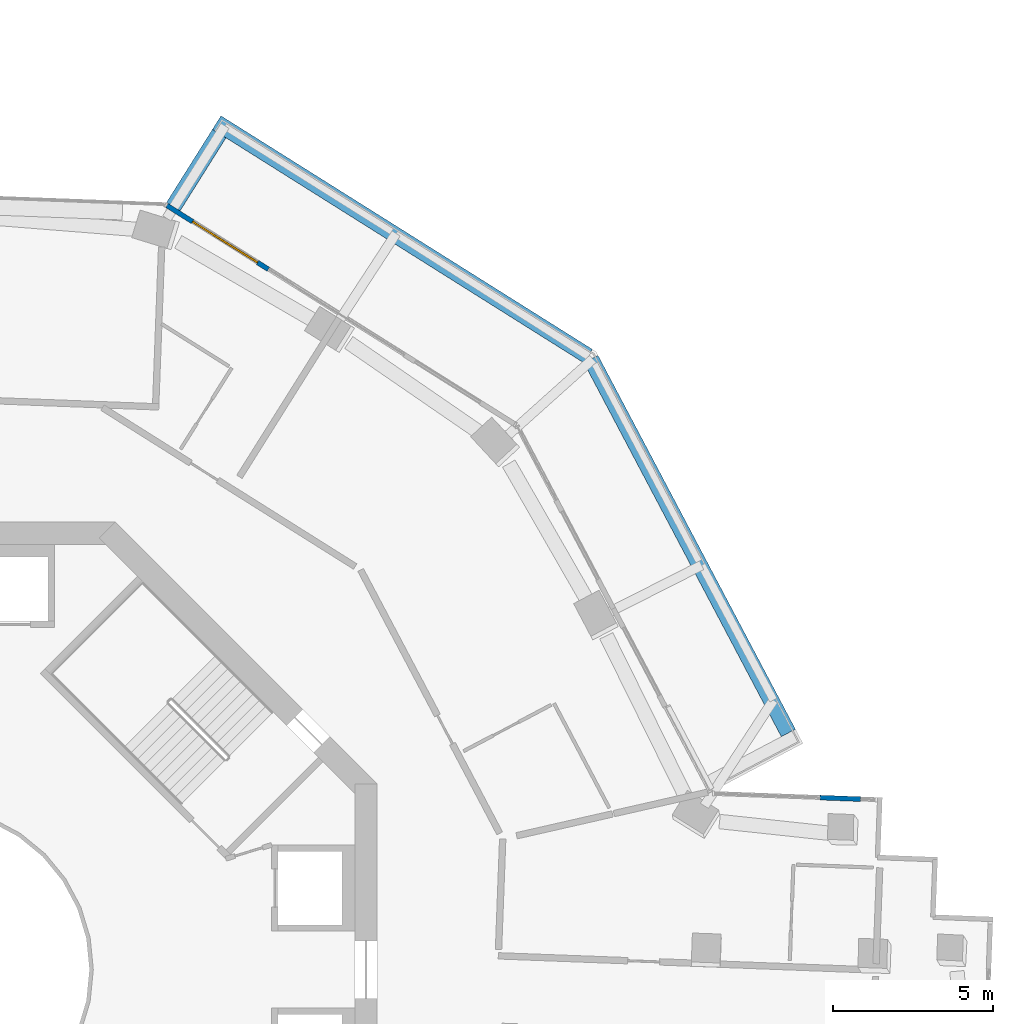
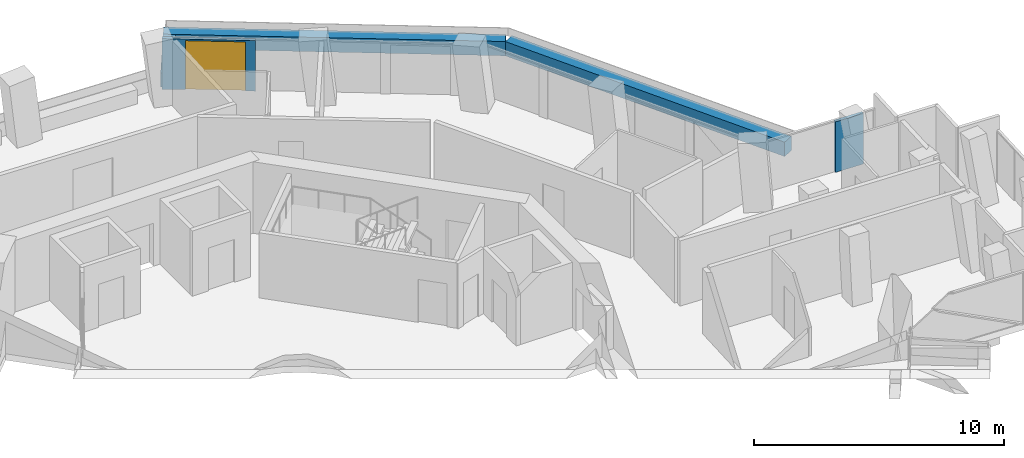
# One storey, part 20 of 23: 5 walls, 1 door, 1 opening.
"""IFC4 building model written with IfcOpenShell, lengths in metres."""

from ifc_helpers import new_model, si_unit, direction, frame, frame_2d, origin, place, context, subcontext, project, spatial, rectangle, extrude, material, layer, layer_set, type_object, element, fill, save


model = new_model("IFC4")

# Units and contexts
model_context = context("Model", 3, precision=1e-05, world=origin(), true_north=direction((0.0, 1.0)))
body_context = subcontext(model_context, "Body", "Model", "MODEL_VIEW")
ifc_project = project(units=[si_unit("LENGTHUNIT", "METRE"), si_unit("AREAUNIT", "SQUARE_METRE"), si_unit("VOLUMEUNIT", "CUBIC_METRE"), si_unit("PLANEANGLEUNIT", "RADIAN"), si_unit("MASSUNIT", "GRAM", prefix="KILO")], contexts=[model_context])

# Site, building, storey
site_placement = place(None, origin())
site = spatial("IfcSite", under=ifc_project, at=site_placement, CompositionType="ELEMENT")
building_placement = place(site_placement, origin())
building = spatial("IfcBuilding", under=site, at=building_placement, Name="Verdalira Terraces Hotel", CompositionType="ELEMENT")
storey_placement = place(building_placement, frame((0.0, 0.0, 147.0)))
storey = spatial("IfcBuildingStorey", under=building, at=storey_placement, Name="L35", CompositionType="ELEMENT", Elevation=147.0)

# Walls
ifc_material_1 = material(Name="Concrete C40", Category="concrete")
ifc_layer_1 = layer(ifc_material_1, 0.5)
ifc_layer_set_1 = layer_set([ifc_layer_1], Name="Balcony planter trough with tree")
wall_type_1 = type_object("IfcWallType", Name="Balcony planter trough with tree", PredefinedType="SOLIDWALL", material=ifc_layer_set_1)
wall_1_placement = place(storey_placement, frame((26.861084, 7.400879, 0.0), z_axis=(0.0, 0.0, 1.0), x_axis=(-0.466998474, 0.884258121, 0.0)))
element("IfcWall", 1, at=wall_1_placement, inside=storey, type_object=wall_type_1, Name="Balcony planter", PredefinedType="SOLIDWALL", context=body_context, shape_type="SweptSolid", body=[
    extrude(rectangle(XDim=13.223389, YDim=0.5, at=frame_2d((6.611816, 0.0))), origin(), (0.0, 0.0, 1.0), 0.699951),
])
wall_2_placement = place(storey_placement, frame((20.597656, 19.188721, 0.0), z_axis=(0.0, 0.0, 1.0), x_axis=(-0.846566005, 0.532283757, 0.0)))
element("IfcWall", 2, at=wall_2_placement, inside=storey, type_object=wall_type_1, Name="Balcony planter", PredefinedType="SOLIDWALL", context=body_context, shape_type="SweptSolid", body=[
    extrude(rectangle(XDim=13.723389, YDim=0.5, at=frame_2d((6.861816, 0.0))), origin(), (0.0, 0.0, 1.0), 0.699951),
])
wall_3_placement = place(storey_placement, frame((9.058594, 26.148682, 0.0), z_axis=(0.0, 0.0, 1.0), x_axis=(-0.532314177, -0.846546878, 0.0)))
element("IfcWall", 3, at=wall_3_placement, inside=storey, type_object=wall_type_1, Name="Balcony planter", PredefinedType="SOLIDWALL", context=body_context, shape_type="SweptSolid", body=[
    extrude(rectangle(XDim=2.699219, YDim=0.5, at=frame_2d((1.349609, 0.0))), origin(), (0.0, 0.0, 1.0), 0.699951),
])
ifc_material_2 = material(Name="Terracotta cladding", Category="masonry")
ifc_layer_2 = layer(ifc_material_2, 0.14990234375)
ifc_layer_set_2 = layer_set([ifc_layer_2], Name="Terracotta column pier 150")
wall_type_2 = type_object("IfcWallType", Name="Terracotta column pier 150", PredefinedType="SOLIDWALL", material=ifc_layer_set_2)
wall_4_placement = place(storey_placement, frame((29.117188, 5.331299, 0.0), z_axis=(0.0, 0.0, 1.0), x_axis=(-0.999289724, 0.037683523, 0.0)))
element("IfcWall", 4, at=wall_4_placement, inside=storey, type_object=wall_type_2, Name="Terracotta column pier", PredefinedType="SOLIDWALL", context=body_context, shape_type="SweptSolid", body=[
    extrude(rectangle(XDim=1.263428, YDim=0.149902, at=frame_2d((0.631836, 0.0))), origin(), (0.0, 0.0, 1.0), 2.475098),
])

# Wall, opening, door
ifc_material_3 = material(Name="Terracotta cladding", Category="masonry")
ifc_layer_3 = layer(ifc_material_3, 0.14990234375)
ifc_layer_set_3 = layer_set([ifc_layer_3], Name="Terracotta door pier 150")
wall_type_3 = type_object("IfcWallType", Name="Terracotta door pier 150", PredefinedType="SOLIDWALL", material=ifc_layer_set_3)
wall_5_placement = place(storey_placement, frame((10.595459, 21.904541, 0.0), z_axis=(0.0, 0.0, 1.0), x_axis=(-0.846576204, 0.532267537, 0.0)))
wall_5 = element("IfcWall", 5, at=wall_5_placement, inside=storey, type_object=wall_type_3, Name="Terracotta door pier", PredefinedType="SOLIDWALL", context=body_context, shape_type="SweptSolid", body=[
    extrude(rectangle(XDim=3.750244, YDim=0.149902, at=frame_2d((1.875, 0.0))), origin(), (0.0, 0.0, 1.0), 2.475098),
])
opening_placement = place(wall_5_placement, frame((0.399902, 0.0, 0.0)))
opening = element("IfcOpeningElement", 6, at=opening_placement, cuts=wall_5, Name="Opening L35-B14", PredefinedType="OPENING", context=body_context, shape_type="SweptSolid", body=[
    extrude(rectangle(XDim=2.399902, YDim=2.399902, at=frame_2d((1.199951, 1.199951))), frame((0.0, 0.084961, 0.0), z_axis=(0.0, -1.0, 0.0), x_axis=(1.0, 0.0, 0.0)), (0.0, 0.0, 1.0), 0.169922),
])
ifc_material_4 = material(Name="Clear glass", Category="glass")
door_type = type_object("IfcDoorType", Name="Balcony sliding door 2400x2400", OperationType="NOTDEFINED", PredefinedType="DOOR", material=ifc_material_4)
door_placement = place(opening_placement, origin())
door = element("IfcDoor", 7, at=door_placement, inside=storey, type_object=door_type, Name="Balcony sliding door", OperationType="SLIDING_TO_RIGHT", OverallHeight=2.39990234375, OverallWidth=2.39990234375, PredefinedType="DOOR", context=body_context, shape_type="SweptSolid", body=[
    extrude(rectangle(XDim=2.399902, YDim=2.399902, at=frame_2d((1.199951, 1.199951))), frame((0.0, 0.024902, 0.0), z_axis=(0.0, -1.0, 0.0), x_axis=(1.0, 0.0, 0.0)), (0.0, 0.0, 1.0), 0.050049),
])
fill(opening, door)

save(model, "model.ifc")
